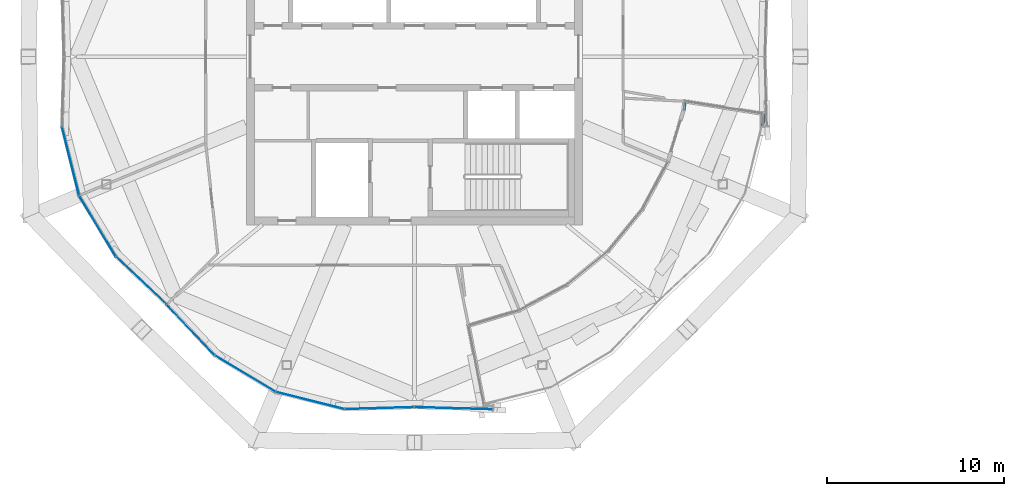
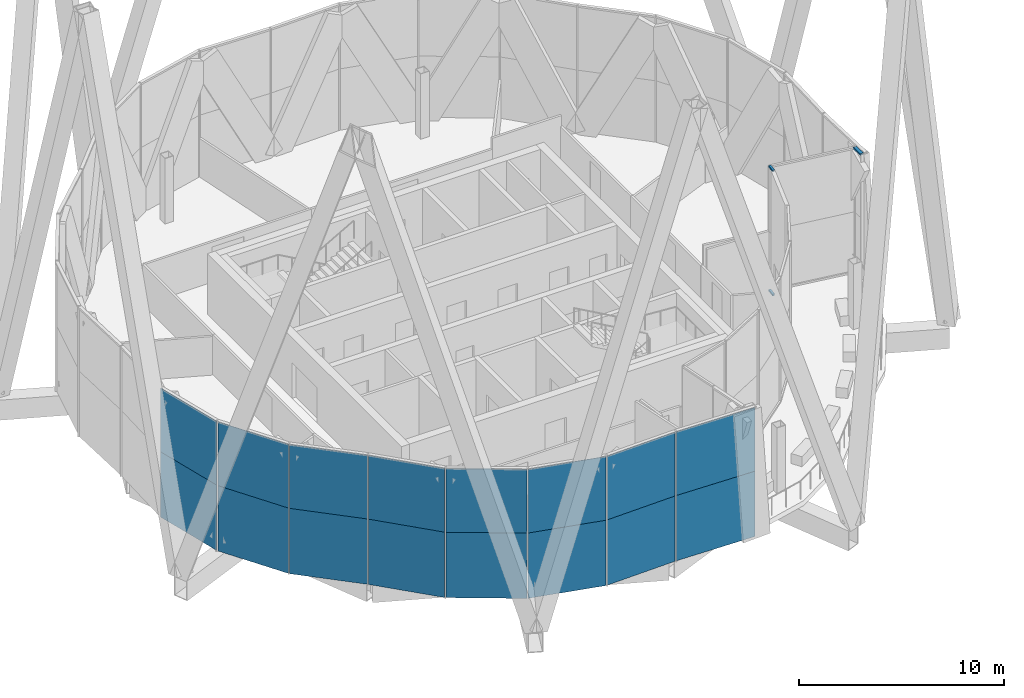
# One storey, part 39 of 53: 16 plates, 3 members, 5 elements without a shape of their own.
"""IFC4 building model written with IfcOpenShell, lengths in metres."""

import ifcopenshell
import ifcopenshell.guid

model = None  # the IFC model being written
_history = None  # IfcOwnerHistory: only IFC2X3 demands one
_inside = {}  # id of a spatial element -> (the spatial element, [elements in it])
_under = {}  # id of a project, library or spatial element -> (it, [spatial elements below it])
_declared = {}  # id of a project -> (the project, [libraries it declares])
_typed = {}  # id of a type object -> (the type object, [elements of that type])
_made_of = {}  # id of a material, layer set ... -> (it, [elements and type objects made of it])


def new_model(schema):
    """Start an empty IFC model of exactly this schema.

    Asked for "IFC4X3", IfcOpenShell would pick the latest addendum, in which some entities
    have other attributes; the version numbers below select the first issue.
    IFC2X3 requires an IfcOwnerHistory on every rooted entity: one is made here for all.
    """
    global model, _history
    if schema == "IFC4X3":
        model = ifcopenshell.file(schema_version=(4, 3, 0, 0))
    else:
        model = ifcopenshell.file(schema=schema)
    _inside.clear()
    _under.clear()
    _declared.clear()
    _typed.clear()
    _made_of.clear()
    _history = None
    if model.schema == "IFC2X3":
        org = make("IfcOrganization", Name="unknown")
        user = make(
            "IfcPersonAndOrganization",
            ThePerson=make("IfcPerson", FamilyName="unknown"),
            TheOrganization=org,
        )
        app = make(
            "IfcApplication",
            ApplicationDeveloper=org,
            Version="unknown",
            ApplicationFullName="unknown",
            ApplicationIdentifier="unknown",
        )
        _history = make(
            "IfcOwnerHistory",
            OwningUser=user,
            OwningApplication=app,
            ChangeAction="ADDED",
            CreationDate=0,
        )
    return model


def make(cls, **values):
    """One entity of the class cls with the attributes given. An attribute that is None is left unset."""
    return model.create_entity(
        cls, **{name: value for name, value in values.items() if value is not None}
    )


def rooted(cls, **values):
    """An entity with a GlobalId (a new one), such as an element, a storey or a relation."""
    return make(cls, GlobalId=ifcopenshell.guid.new(), OwnerHistory=_history, **values)


def si_unit(unit_type, name, prefix=None):
    """IfcSIUnit, for example si_unit("LENGTHUNIT", "METRE", prefix="MILLI")."""
    return make("IfcSIUnit", UnitType=unit_type, Prefix=prefix, Name=name)


def assignment(units):
    """IfcUnitAssignment: the units of a project."""
    return None if units is None else make("IfcUnitAssignment", Units=units)


def point(xyz):
    """IfcCartesianPoint."""
    return None if xyz is None else make("IfcCartesianPoint", Coordinates=xyz)


def direction(xyz):
    """IfcDirection."""
    return None if xyz is None else make("IfcDirection", DirectionRatios=xyz)


def frame(location, z_axis=None, x_axis=None):
    """IfcAxis2Placement3D, a coordinate frame: its origin and axes. An axis left out is left unset."""
    return make(
        "IfcAxis2Placement3D",
        Location=point(location),
        Axis=direction(z_axis),
        RefDirection=direction(x_axis),
    )


def frame_2d(location, x_axis=None):
    """IfcAxis2Placement2D, a coordinate frame in the plane: its origin and x axis."""
    return make(
        "IfcAxis2Placement2D", Location=point(location), RefDirection=direction(x_axis)
    )


def origin():
    """The frame at (0, 0, 0) with its axes left unset."""
    return frame((0.0, 0.0, 0.0))


def origin_2d():
    """The frame at (0, 0) in the plane with its x axis left unset."""
    return frame_2d((0.0, 0.0))


def place(relative_to, where):
    """IfcLocalPlacement: puts the frame where relative to a parent placement (None: the world)."""
    return make(
        "IfcLocalPlacement", PlacementRelTo=relative_to, RelativePlacement=where
    )


def context(
    kind, dimensions, precision=None, world=None, true_north=None, identifier=None
):
    """IfcGeometricRepresentationContext, for example the 3D "Model" context."""
    return make(
        "IfcGeometricRepresentationContext",
        ContextIdentifier=identifier,
        ContextType=kind,
        CoordinateSpaceDimension=dimensions,
        Precision=precision,
        WorldCoordinateSystem=world,
        TrueNorth=true_north,
    )


def subcontext(parent, identifier, kind, view, scale=None):
    """IfcGeometricRepresentationSubContext, for example "Body" below "Model"."""
    return make(
        "IfcGeometricRepresentationSubContext",
        ContextIdentifier=identifier,
        ContextType=kind,
        ParentContext=parent,
        TargetScale=scale,
        TargetView=view,
    )


def project(units=None, contexts=None):
    """IfcProject with its units and contexts."""
    return rooted(
        "IfcProject",
        Name="project",
        RepresentationContexts=contexts,
        UnitsInContext=assignment(units),
    )


def spatial(cls, under=None, at=None, **own):
    """A site, building, storey or space (cls), placed at a placement, below another one or the project."""
    s = rooted(cls, ObjectPlacement=at, **own)
    if under is not None:
        _under.setdefault(under.id(), (under, []))[1].append(s)
    return s


def profile(cls, at=None, kind="AREA", **sizes):
    """A parametric profile (cls). Its sizes go by their IFC names, for example OverallWidth=200.0."""
    return make(cls, ProfileType=kind, Position=at, **sizes)


def rectangle(**sizes):
    """IfcRectangleProfileDef."""
    return profile("IfcRectangleProfileDef", **sizes)


def extrude(swept, where, along, depth):
    """IfcExtrudedAreaSolid: the profile swept, set in the frame where, extruded along a direction by depth."""
    return make(
        "IfcExtrudedAreaSolid",
        SweptArea=swept,
        Position=where,
        ExtrudedDirection=direction(along),
        Depth=depth,
    )


def shape(context_of_items, identifier, shape_type, items):
    """IfcShapeRepresentation: the items that make up one representation, for example the "Body"."""
    return make(
        "IfcShapeRepresentation",
        ContextOfItems=context_of_items,
        RepresentationIdentifier=identifier,
        RepresentationType=shape_type,
        Items=items,
    )


def material(Name=None, Category=None):
    """IfcMaterial."""
    return make("IfcMaterial", Name=Name, Category=Category)


def layer(
    of_material, thickness, ventilated=None, Name=None, Category=None, Priority=None
):
    """IfcMaterialLayer: one layer of a wall or slab, of a material (None: an air gap)."""
    return make(
        "IfcMaterialLayer",
        Material=of_material,
        LayerThickness=thickness,
        IsVentilated=ventilated,
        Name=Name,
        Category=Category,
        Priority=Priority,
    )


def layer_set(layers, Name=None):
    """IfcMaterialLayerSet."""
    return make("IfcMaterialLayerSet", MaterialLayers=layers, LayerSetName=Name)


def material_profile(
    of_material, cross_section, Name=None, Category=None, Priority=None
):
    """IfcMaterialProfile: a cross section and its material."""
    return make(
        "IfcMaterialProfile",
        Name=Name,
        Material=of_material,
        Profile=cross_section,
        Priority=Priority,
        Category=Category,
    )


def profile_set(profiles, Name=None, composite=None):
    """IfcMaterialProfileSet."""
    return make(
        "IfcMaterialProfileSet",
        Name=Name,
        MaterialProfiles=profiles,
        CompositeProfile=composite,
    )


def made_of(thing, what):
    """Note that an element or type object is made of a material, layer set ...; save() writes the relation."""
    if what is not None:
        _made_of.setdefault(what.id(), (what, []))[1].append(thing)
    return thing


def type_object(cls, material=None, **own):
    """A type object (cls), such as IfcWallType, which elements share."""
    return made_of(rooted(cls, **own), material)


def element(
    cls,
    number,
    at=None,
    inside=None,
    cuts=None,
    type_object=None,
    material=None,
    context=None,
    identifier="Body",
    shape_type=None,
    held_by="IfcProductDefinitionShape",
    body=None,
    shapes=None,
    **own,
):
    """One element of the class cls, such as IfcWall. Its Tag is "e" and its number.

    at: its placement. inside: the storey or other place that contains it. cuts: it is an
    opening in that element (IfcRelVoidsElement). A single representation is given by context,
    identifier, shape_type and body (its items); several are given by shapes. held_by: the class
    of the entity that holds the representations. save() writes the other relations.
    """
    e = rooted(cls, Tag="e%d" % number, ObjectPlacement=at, **own)
    if body is not None:
        shapes = [shape(context, identifier, shape_type, body)]
    if shapes is not None:
        e.Representation = make(held_by, Representations=shapes)
    if inside is not None:
        _inside.setdefault(inside.id(), (inside, []))[1].append(e)
    if cuts is not None:
        rooted(
            "IfcRelVoidsElement", RelatingBuildingElement=cuts, RelatedOpeningElement=e
        )
    if type_object is not None:
        _typed.setdefault(type_object.id(), (type_object, []))[1].append(e)
    return made_of(e, material)


def aggregate(whole, parts):
    """IfcRelAggregates: a whole, such as a stair, and the parts it consists of."""
    return rooted("IfcRelAggregates", RelatingObject=whole, RelatedObjects=parts)


def save(model, path):
    """Write the relations noted so far, then the file.

    IfcRelAggregates (storeys below a building ...), IfcRelContainedInSpatialStructure (elements
    in a storey), IfcRelDefinesByType, IfcRelAssociatesMaterial and IfcRelDeclares: one each for
    every whole, place, type object, material and project.
    """
    for whole, parts in _under.values():
        aggregate(whole, parts)
    for where, things in _inside.values():
        rooted(
            "IfcRelContainedInSpatialStructure",
            RelatedElements=things,
            RelatingStructure=where,
        )
    for kind, things in _typed.values():
        rooted("IfcRelDefinesByType", RelatedObjects=things, RelatingType=kind)
    for what, things in _made_of.values():
        rooted("IfcRelAssociatesMaterial", RelatedObjects=things, RelatingMaterial=what)
    for by, libraries in _declared.values():
        rooted("IfcRelDeclares", RelatingContext=by, RelatedDefinitions=libraries)
    model.write(path)


model = new_model("IFC4")

# Units and contexts
model_context = context("Model", 3, precision=1e-05, world=origin(), true_north=direction((0.0, 1.0)))
body_context = subcontext(model_context, "Body", "Model", "MODEL_VIEW")
ifc_project = project(units=[si_unit("LENGTHUNIT", "METRE"), si_unit("AREAUNIT", "SQUARE_METRE"), si_unit("VOLUMEUNIT", "CUBIC_METRE"), si_unit("PLANEANGLEUNIT", "RADIAN"), si_unit("MASSUNIT", "GRAM", prefix="KILO")], contexts=[model_context])

# Site, building, storey
site_placement = place(None, origin())
site = spatial("IfcSite", under=ifc_project, at=site_placement, CompositionType="ELEMENT")
building_placement = place(site_placement, origin())
building = spatial("IfcBuilding", under=site, at=building_placement, Name="Ogive Gate Towers", CompositionType="ELEMENT")
storey_placement = place(building_placement, frame((0.0, 0.0, 240.60009765625)))
storey = spatial("IfcBuildingStorey", under=building, at=storey_placement, Name="L57", CompositionType="ELEMENT", Elevation=240.60009765625)

# Curtain wall, members
ifc_material_1 = material(Name="Pale metal aluminium", Category="aluminium")
curtain_wall_type_1 = type_object("IfcCurtainWallType", Name="Sky garden glazing", PredefinedType="NOTDEFINED", material=ifc_material_1)
curtain_wall_1_placement = place(storey_placement, origin())
curtain_wall_1 = element("IfcCurtainWall", 1, at=curtain_wall_1_placement, inside=storey, type_object=curtain_wall_type_1, Name="CW4 T1 ECW02", PredefinedType="NOTDEFINED")
ifc_material_profile_1 = material_profile(ifc_material_1, rectangle(XDim=0.1201171875, YDim=0.10009765625, at=origin_2d()), Name="100 x 120 aluminium box")
ifc_profile_set_1 = profile_set([ifc_material_profile_1], Name="Pale metal aluminium")
member_type_1 = type_object("IfcMemberType", Name="Sky garden glazing transom 100 x 120", PredefinedType="USERDEFINED", material=ifc_profile_set_1)
member_1_placement = place(storey_placement, frame((-20.7001953125, -2.54736328125, 7.449951171875), z_axis=(-0.097715817466, -0.995214358325, 0.0), x_axis=(0.995214358325, -0.097715817466, 0.0)))
member_1 = element("IfcMember", 2, at=member_1_placement, type_object=member_type_1, Name="CW4 transom", ObjectType="TRANSOM", PredefinedType="USERDEFINED", context=body_context, shape_type="SweptSolid", body=[
    extrude(rectangle(XDim=0.1201171875, YDim=0.10009765625, at=origin_2d()), origin(), (0.0, 0.0, 1.0), 0.459716796875),
])
member_2_placement = place(storey_placement, frame((-20.7001953125, -2.54736328125, 0.0498046875), z_axis=(-0.097715817466, -0.995214358325, 0.0), x_axis=(0.995214358325, -0.097715817466, 0.0)))
member_2 = element("IfcMember", 3, at=member_2_placement, type_object=member_type_1, Name="CW4 transom", ObjectType="TRANSOM", PredefinedType="USERDEFINED", context=body_context, shape_type="SweptSolid", body=[
    extrude(rectangle(XDim=0.1201171875, YDim=0.10009765625, at=origin_2d()), origin(), (0.0, 0.0, 1.0), 0.459716796875),
])
aggregate(curtain_wall_1, [member_1, member_2])

# Curtain wall, member
curtain_wall_type_2 = type_object("IfcCurtainWallType", Name="Tower unitised wall, high zone", PredefinedType="NOTDEFINED", material=ifc_material_1)
curtain_wall_2_placement = place(storey_placement, origin())
curtain_wall_2 = element("IfcCurtainWall", 4, at=curtain_wall_2_placement, inside=storey, type_object=curtain_wall_type_2, Name="CW2 T1 ECW10b", PredefinedType="NOTDEFINED")
ifc_material_profile_2 = material_profile(ifc_material_1, rectangle(XDim=0.179931640625, YDim=0.10009765625, at=origin_2d()), Name="100 x 180 aluminium box")
ifc_profile_set_2 = profile_set([ifc_material_profile_2], Name="Pale metal aluminium")
member_type_2 = type_object("IfcMemberType", Name="Tower unitised wall, high zone transom 100 x 180", PredefinedType="USERDEFINED", material=ifc_profile_set_2)
member_3_placement = place(storey_placement, frame((-16.2890625, -3.916015625, 7.449951171875), z_axis=(-0.028297487146, 0.999599545929, 0.0), x_axis=(-0.999599545929, -0.028297487146, 0.0)))
member_3 = element("IfcMember", 5, at=member_3_placement, type_object=member_type_2, Name="CW2 transom", ObjectType="TRANSOM", PredefinedType="USERDEFINED", context=body_context, shape_type="SweptSolid", body=[
    extrude(rectangle(XDim=0.179931640625, YDim=0.10009765625, at=origin_2d()), origin(), (0.0, 0.0, 1.0), 0.664306640625),
])
aggregate(curtain_wall_2, [member_3])

# Curtain wall, plates
curtain_wall_3_placement = place(storey_placement, origin())
curtain_wall_3 = element("IfcCurtainWall", 6, at=curtain_wall_3_placement, inside=storey, type_object=curtain_wall_type_2, Name="CW2 T1 ECW07", PredefinedType="NOTDEFINED")
ifc_material_2 = material(Name="Clear glass", Category="glass")
ifc_layer = layer(ifc_material_2, 0.028076171875)
ifc_layer_set = layer_set([ifc_layer], Name="Tower unitised wall, high zone glass panel")
plate_type = type_object("IfcPlateType", Name="Tower unitised wall, high zone glass panel", PredefinedType="CURTAIN_PANEL", material=ifc_layer_set)
plate_1_placement = place(storey_placement, frame((-51.44384765625, -12.65087890625, -0.300048828125), z_axis=(0.0, 0.0, 1.0), x_axis=(-0.726850427027, 0.686795789687, 0.0)))
plate_1 = element("IfcPlate", 7, at=plate_1_placement, type_object=plate_type, Name="CW2 glass panel", PredefinedType="CURTAIN_PANEL", context=body_context, shape_type="SweptSolid", body=[
    extrude(rectangle(XDim=3.8974609375, YDim=0.028076171875, at=origin_2d()), origin(), (0.0, 0.0, 1.0), 3.89990234375),
])
plate_2_placement = place(storey_placement, frame((-51.44384765625, -12.65087890625, 3.60009765625), z_axis=(0.0, 0.0, 1.0), x_axis=(-0.726850427027, 0.686795789687, 0.0)))
plate_2 = element("IfcPlate", 8, at=plate_2_placement, type_object=plate_type, Name="CW2 glass panel", PredefinedType="CURTAIN_PANEL", context=body_context, shape_type="SweptSolid", body=[
    extrude(rectangle(XDim=3.8974609375, YDim=0.028076171875, at=origin_2d()), origin(), (0.0, 0.0, 1.0), 3.803955078125),
])
plate_3_placement = place(storey_placement, frame((-53.916259765625, -9.5703125, -0.300048828125), z_axis=(0.0, 0.0, 1.0), x_axis=(-0.514843576563, 0.85728413707, 0.0)))
plate_3 = element("IfcPlate", 9, at=plate_3_placement, type_object=plate_type, Name="CW2 glass panel", PredefinedType="CURTAIN_PANEL", context=body_context, shape_type="SweptSolid", body=[
    extrude(rectangle(XDim=3.952880859375, YDim=0.028076171875, at=origin_2d()), origin(), (0.0, 0.0, 1.0), 3.89990234375),
])
plate_4_placement = place(storey_placement, frame((-53.916259765625, -9.5703125, 3.60009765625), z_axis=(0.0, 0.0, 1.0), x_axis=(-0.514843576563, 0.85728413707, 0.0)))
plate_4 = element("IfcPlate", 10, at=plate_4_placement, type_object=plate_type, Name="CW2 glass panel", PredefinedType="CURTAIN_PANEL", context=body_context, shape_type="SweptSolid", body=[
    extrude(rectangle(XDim=3.952880859375, YDim=0.028076171875, at=origin_2d()), origin(), (0.0, 0.0, 1.0), 3.803955078125),
])
plate_5_placement = place(storey_placement, frame((-55.435791015625, -5.9013671875, -0.300048828125), z_axis=(0.0, 0.0, 1.0), x_axis=(-0.242142042488, 0.970240810964, 0.0)))
plate_5 = element("IfcPlate", 11, at=plate_5_placement, type_object=plate_type, Name="CW2 glass panel", PredefinedType="CURTAIN_PANEL", context=body_context, shape_type="SweptSolid", body=[
    extrude(rectangle(XDim=3.953125, YDim=0.028076171875, at=origin_2d()), origin(), (0.0, 0.0, 1.0), 3.89990234375),
])
plate_6_placement = place(storey_placement, frame((-55.435791015625, -5.9013671875, 3.60009765625), z_axis=(0.0, 0.0, 1.0), x_axis=(-0.242142042488, 0.970240810964, 0.0)))
plate_6 = element("IfcPlate", 12, at=plate_6_placement, type_object=plate_type, Name="CW2 glass panel", PredefinedType="CURTAIN_PANEL", context=body_context, shape_type="SweptSolid", body=[
    extrude(rectangle(XDim=3.953125, YDim=0.028076171875, at=origin_2d()), origin(), (0.0, 0.0, 1.0), 3.803955078125),
])
aggregate(curtain_wall_3, [plate_1, plate_2, plate_3, plate_4, plate_5, plate_6])

curtain_wall_4_placement = place(storey_placement, origin())
curtain_wall_4 = element("IfcCurtainWall", 13, at=curtain_wall_4_placement, inside=storey, type_object=curtain_wall_type_2, Name="CW2 T1 ECW08", PredefinedType="NOTDEFINED")
plate_7_placement = place(storey_placement, frame((-37.974853515625, -19.865966796875, -0.300048828125), z_axis=(0.0, 0.0, 1.0), x_axis=(-0.999598826037, -0.028322905681, 0.0)))
plate_7 = element("IfcPlate", 14, at=plate_7_placement, type_object=plate_type, Name="CW2 glass panel", PredefinedType="CURTAIN_PANEL", context=body_context, shape_type="SweptSolid", body=[
    extrude(rectangle(XDim=3.8974609375, YDim=0.028076171875, at=origin_2d()), origin(), (0.0, 0.0, 1.0), 3.89990234375),
])
plate_8_placement = place(storey_placement, frame((-37.974853515625, -19.865966796875, 3.60009765625), z_axis=(0.0, 0.0, 1.0), x_axis=(-0.999598826037, -0.028322905681, 0.0)))
plate_8 = element("IfcPlate", 15, at=plate_8_placement, type_object=plate_type, Name="CW2 glass panel", PredefinedType="CURTAIN_PANEL", context=body_context, shape_type="SweptSolid", body=[
    extrude(rectangle(XDim=3.8974609375, YDim=0.028076171875, at=origin_2d()), origin(), (0.0, 0.0, 1.0), 3.803955078125),
])
plate_9_placement = place(storey_placement, frame((-41.9013671875, -19.435791015625, -0.300048828125), z_axis=(0.0, 0.0, 1.0), x_axis=(-0.970240810964, 0.242142042488, 0.0)))
plate_9 = element("IfcPlate", 16, at=plate_9_placement, type_object=plate_type, Name="CW2 glass panel", PredefinedType="CURTAIN_PANEL", context=body_context, shape_type="SweptSolid", body=[
    extrude(rectangle(XDim=3.953125, YDim=0.028076171875, at=origin_2d()), origin(), (0.0, 0.0, 1.0), 3.89990234375),
])
plate_10_placement = place(storey_placement, frame((-41.9013671875, -19.435791015625, 3.60009765625), z_axis=(0.0, 0.0, 1.0), x_axis=(-0.970240810964, 0.242142042488, 0.0)))
plate_10 = element("IfcPlate", 17, at=plate_10_placement, type_object=plate_type, Name="CW2 glass panel", PredefinedType="CURTAIN_PANEL", context=body_context, shape_type="SweptSolid", body=[
    extrude(rectangle(XDim=3.953125, YDim=0.028076171875, at=origin_2d()), origin(), (0.0, 0.0, 1.0), 3.803955078125),
])
plate_11_placement = place(storey_placement, frame((-45.5703125, -17.916259765625, -0.300048828125), z_axis=(0.0, 0.0, 1.0), x_axis=(-0.85728413707, 0.514843576563, 0.0)))
plate_11 = element("IfcPlate", 18, at=plate_11_placement, type_object=plate_type, Name="CW2 glass panel", PredefinedType="CURTAIN_PANEL", context=body_context, shape_type="SweptSolid", body=[
    extrude(rectangle(XDim=3.952880859375, YDim=0.028076171875, at=origin_2d()), origin(), (0.0, 0.0, 1.0), 3.89990234375),
])
plate_12_placement = place(storey_placement, frame((-45.5703125, -17.916259765625, 3.60009765625), z_axis=(0.0, 0.0, 1.0), x_axis=(-0.85728413707, 0.514843576563, 0.0)))
plate_12 = element("IfcPlate", 19, at=plate_12_placement, type_object=plate_type, Name="CW2 glass panel", PredefinedType="CURTAIN_PANEL", context=body_context, shape_type="SweptSolid", body=[
    extrude(rectangle(XDim=3.952880859375, YDim=0.028076171875, at=origin_2d()), origin(), (0.0, 0.0, 1.0), 3.803955078125),
])
plate_13_placement = place(storey_placement, frame((-48.65087890625, -15.44384765625, -0.300048828125), z_axis=(0.0, 0.0, 1.0), x_axis=(-0.686795789687, 0.726850427027, 0.0)))
plate_13 = element("IfcPlate", 20, at=plate_13_placement, type_object=plate_type, Name="CW2 glass panel", PredefinedType="CURTAIN_PANEL", context=body_context, shape_type="SweptSolid", body=[
    extrude(rectangle(XDim=3.8974609375, YDim=0.028076171875, at=origin_2d()), origin(), (0.0, 0.0, 1.0), 3.89990234375),
])
plate_14_placement = place(storey_placement, frame((-48.65087890625, -15.44384765625, 3.60009765625), z_axis=(0.0, 0.0, 1.0), x_axis=(-0.686795789687, 0.726850427027, 0.0)))
plate_14 = element("IfcPlate", 21, at=plate_14_placement, type_object=plate_type, Name="CW2 glass panel", PredefinedType="CURTAIN_PANEL", context=body_context, shape_type="SweptSolid", body=[
    extrude(rectangle(XDim=3.8974609375, YDim=0.028076171875, at=origin_2d()), origin(), (0.0, 0.0, 1.0), 3.803955078125),
])
aggregate(curtain_wall_4, [plate_7, plate_8, plate_9, plate_10, plate_11, plate_12, plate_13, plate_14])

curtain_wall_5_placement = place(storey_placement, origin())
curtain_wall_5 = element("IfcCurtainWall", 22, at=curtain_wall_5_placement, inside=storey, type_object=curtain_wall_type_2, Name="CW2 T1 ECW09b", PredefinedType="NOTDEFINED")
plate_15_placement = place(storey_placement, frame((-33.780029296875, -19.872802734375, -0.300048828125), z_axis=(0.0, 0.0, 1.0), x_axis=(-0.999598826037, 0.028322905681, 0.0)))
plate_15 = element("IfcPlate", 23, at=plate_15_placement, type_object=plate_type, Name="CW2 glass panel", PredefinedType="CURTAIN_PANEL", context=body_context, shape_type="SweptSolid", body=[
    extrude(rectangle(XDim=4.387451171875, YDim=0.028076171875, at=origin_2d()), origin(), (0.0, 0.0, 1.0), 3.89990234375),
])
plate_16_placement = place(storey_placement, frame((-33.780029296875, -19.872802734375, 3.60009765625), z_axis=(0.0, 0.0, 1.0), x_axis=(-0.999598826037, 0.028322905681, 0.0)))
plate_16 = element("IfcPlate", 24, at=plate_16_placement, type_object=plate_type, Name="CW2 glass panel", PredefinedType="CURTAIN_PANEL", context=body_context, shape_type="SweptSolid", body=[
    extrude(rectangle(XDim=4.387451171875, YDim=0.028076171875, at=origin_2d()), origin(), (0.0, 0.0, 1.0), 3.803955078125),
])
aggregate(curtain_wall_5, [plate_15, plate_16])

save(model, "model.ifc")
